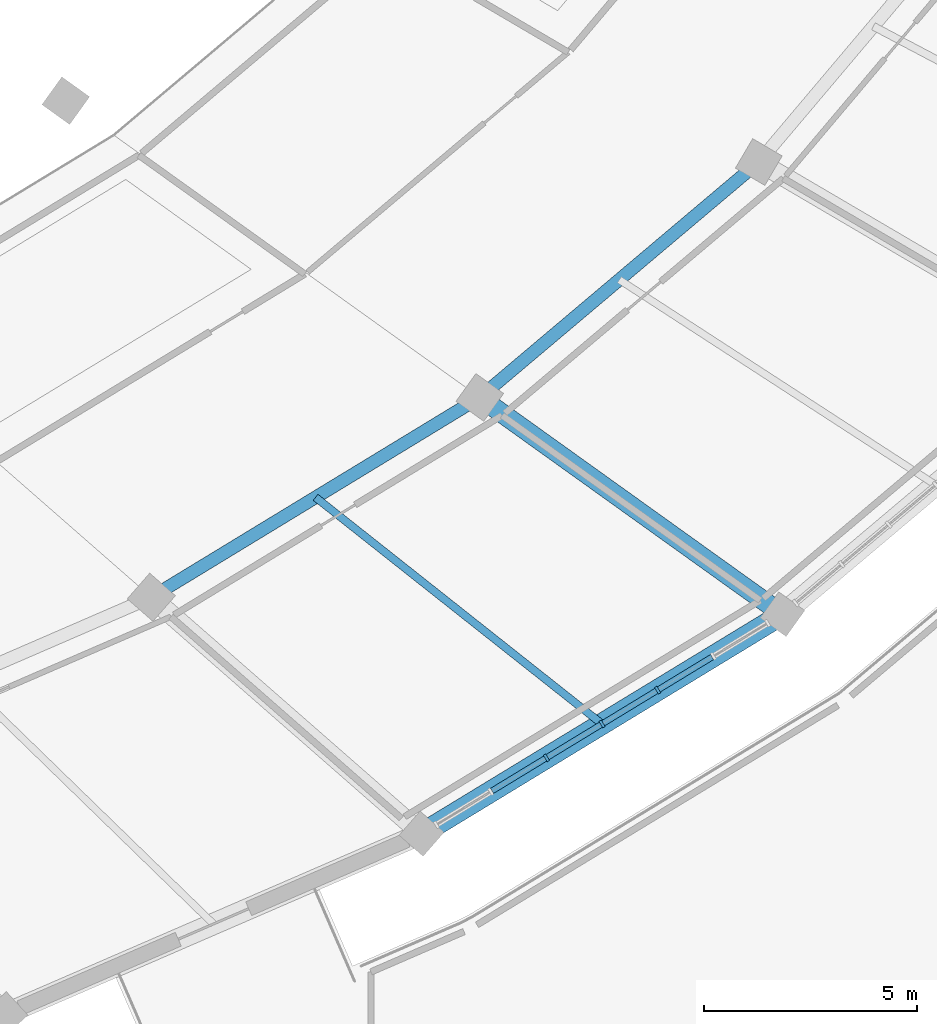
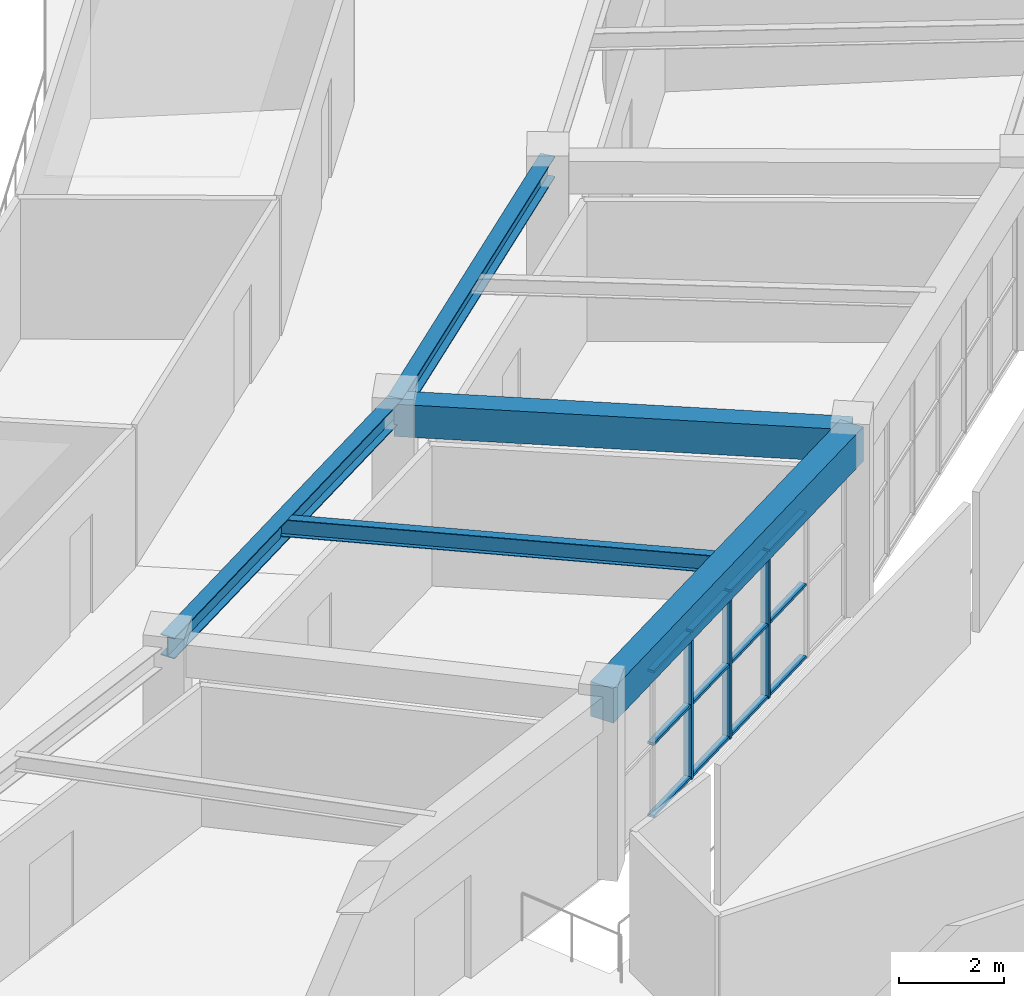
# One storey, part 36 of 141: 15 members, 5 beams, 1 element without a shape of its own.
"""IFC4 building model written with IfcOpenShell, lengths in metres."""

from ifc_helpers import new_model, si_unit, direction, frame, origin, origin_2d, place, context, subcontext, project, spatial, rectangle, i_section, extrude, material, layer, layer_set, material_profile, profile_set, type_object, element, aggregate, save


model = new_model("IFC4")

# Units and contexts
model_context = context("Model", 3, precision=1e-05, world=origin(), true_north=direction((0.0, 1.0)))
body_context = subcontext(model_context, "Body", "Model", "MODEL_VIEW")
ifc_project = project(units=[si_unit("LENGTHUNIT", "METRE"), si_unit("AREAUNIT", "SQUARE_METRE"), si_unit("VOLUMEUNIT", "CUBIC_METRE"), si_unit("PLANEANGLEUNIT", "RADIAN"), si_unit("MASSUNIT", "GRAM", prefix="KILO")], contexts=[model_context])

# Site, building, storey
site_placement = place(None, origin())
site = spatial("IfcSite", under=ifc_project, at=site_placement, CompositionType="ELEMENT")
building_placement = place(site_placement, origin())
building = spatial("IfcBuilding", under=site, at=building_placement, Name="Mphavela Belvedere Stadium", CompositionType="ELEMENT")
storey_placement = place(building_placement, frame((0.0, 0.0, 14.699951171875)))
storey = spatial("IfcBuildingStorey", under=building, at=storey_placement, Name="L03", CompositionType="ELEMENT", Elevation=14.699951171875)

# Beams
ifc_material_1 = material(Name="Steel S355", Category="steel")
ifc_material_profile_1 = material_profile(ifc_material_1, i_section(OverallWidth=0.179931640625, OverallDepth=0.39990234375, WebThickness=0.008544921875, FlangeThickness=0.013427734375, at=origin_2d()), Name="IPE 400")
ifc_profile_set_1 = profile_set([ifc_material_profile_1], Name="Steel S355")
beam_type_1 = type_object("IfcBeamType", Name="BM-JOIST-IPE400", PredefinedType="JOIST", material=ifc_profile_set_1)
beam_1_placement = place(storey_placement, frame((183.210693359375, 33.02587890625, 4.050048828125), z_axis=(0.784195537739, -0.620513785979, 0.0), x_axis=(0.620513785979, 0.784195537739, 0.0)))
element("IfcBeam", 1, at=beam_1_placement, inside=storey, type_object=beam_type_1, Name="Concourse floor joist L03-42", PredefinedType="JOIST", context=body_context, shape_type="SweptSolid", body=[
    extrude(i_section(OverallWidth=0.179931640625, OverallDepth=0.39990234375, WebThickness=0.008544921875, FlangeThickness=0.013427734375, at=origin_2d()), origin(), (0.0, 0.0, 1.0), 8.56298828125),
])
ifc_material_2 = material(Name="Concrete C40/50", Category="concrete")
ifc_material_profile_2 = material_profile(ifc_material_2, rectangle(XDim=0.449951171875, YDim=0.75, at=origin_2d()), Name="RC 450x750")
ifc_profile_set_2 = profile_set([ifc_material_profile_2], Name="Concrete C40/50")
beam_type_2 = type_object("IfcBeamType", Name="BM-RC450x750", PredefinedType="BEAM", material=ifc_profile_set_2)
beam_2_placement = place(storey_placement, frame((187.061279296875, 35.368408203125, 3.875), z_axis=(0.812882024932, -0.582428376319, 0.0), x_axis=(0.582428376319, 0.812882024932, 0.0)))
element("IfcBeam", 2, at=beam_2_placement, inside=storey, type_object=beam_type_2, Name="Radial concourse girder L03 R3R4-43", PredefinedType="BEAM", context=body_context, shape_type="SweptSolid", body=[
    extrude(rectangle(XDim=0.449951171875, YDim=0.75, at=origin_2d()), origin(), (0.0, 0.0, 1.0), 8.727294921875),
])
ifc_material_3 = material(Name="Concrete C40/50", Category="concrete")
ifc_material_profile_3 = material_profile(ifc_material_3, rectangle(XDim=0.5, YDim=0.800048828125, at=origin_2d()), Name="RC 500x800")
ifc_profile_set_3 = profile_set([ifc_material_profile_3], Name="Concrete C40/50")
beam_type_3 = type_object("IfcBeamType", Name="BM-SPANDREL-800", PredefinedType="SPANDREL", material=ifc_profile_set_3)
beam_3_placement = place(storey_placement, frame((185.6962890625, 25.13916015625, 3.85009765625), z_axis=(0.854326607994, 0.51973651678, 0.0), x_axis=(-0.51973651678, 0.854326607994, 0.0)))
element("IfcBeam", 3, at=beam_3_placement, inside=storey, type_object=beam_type_3, Name="Circumferential girder L03 R4-42", PredefinedType="SPANDREL", context=body_context, shape_type="SweptSolid", body=[
    extrude(rectangle(XDim=0.5, YDim=0.800048828125, at=origin_2d()), origin(), (0.0, 0.0, 1.0), 9.901611328125),
])
ifc_material_4 = material(Name="Steel S355", Category="steel")
ifc_material_profile_4 = material_profile(ifc_material_4, i_section(OverallWidth=0.300048828125, OverallDepth=0.489990234375, WebThickness=0.011962890625, FlangeThickness=0.02294921875, at=origin_2d()), Name="HEA 500")
ifc_profile_set_4 = profile_set([ifc_material_profile_4], Name="Steel S355")
beam_type_4 = type_object("IfcBeamType", Name="BM-STEEL-HEA500", PredefinedType="BEAM", material=ifc_profile_set_4)
beam_4_placement = place(storey_placement, frame((179.360107421875, 30.68310546875, 4.005126953125), z_axis=(0.854315160357, 0.519755333579, 0.0), x_axis=(-0.519755333579, 0.854315160357, 0.0)))
element("IfcBeam", 4, at=beam_4_placement, inside=storey, type_object=beam_type_4, Name="Circumferential girder L03 R3-42", PredefinedType="BEAM", context=body_context, shape_type="SweptSolid", body=[
    extrude(i_section(OverallWidth=0.300048828125, OverallDepth=0.489990234375, WebThickness=0.011962890625, FlangeThickness=0.02294921875, at=origin_2d()), origin(), (0.0, 0.0, 1.0), 9.014404296875),
])
beam_5_placement = place(storey_placement, frame((187.061279296875, 35.368408203125, 4.005126953125), z_axis=(0.764263355392, 0.644904274761, 0.0), x_axis=(-0.644904274761, 0.764263355392, 0.0)))
element("IfcBeam", 5, at=beam_5_placement, inside=storey, type_object=beam_type_4, Name="Circumferential girder L03 R3-43", PredefinedType="BEAM", context=body_context, shape_type="SweptSolid", body=[
    extrude(i_section(OverallWidth=0.300048828125, OverallDepth=0.489990234375, WebThickness=0.011962890625, FlangeThickness=0.02294921875, at=origin_2d()), origin(), (0.0, 0.0, 1.0), 8.55615234375),
])

# Curtain wall, members
ifc_material_5 = material(Name="Anodised bronze unitised curtain wall framing")
ifc_layer = layer(ifc_material_5, 0.199951171875)
ifc_layer_set = layer_set([ifc_layer], Name="Anodised bronze unitised curtain wall framing")
curtain_wall_type = type_object("IfcCurtainWallType", Name="CW-UNIT-05", PredefinedType="USERDEFINED", material=ifc_layer_set)
curtain_wall_placement = place(storey_placement, origin())
curtain_wall = element("IfcCurtainWall", 6, at=curtain_wall_placement, inside=storey, type_object=curtain_wall_type, Name="Belvedere colonnade curtain wall L03-42", ObjectType="UNITISED CURTAIN WALL", PredefinedType="USERDEFINED")
ifc_material_6 = material(Name="Anodised bronze extruded aluminium", Category="aluminium")
ifc_material_profile_5 = material_profile(ifc_material_6, rectangle(XDim=0.179931640625, YDim=0.06494140625, at=origin_2d()), Name="CW-MUL 180x65")
ifc_profile_set_5 = profile_set([ifc_material_profile_5], Name="Anodised bronze extruded aluminium")
member_type_1 = type_object("IfcMemberType", Name="CWM-180x65", PredefinedType="MULLION", material=ifc_profile_set_5)
member_1_placement = place(storey_placement, frame((188.622314453125, 26.919189453125, 0.0), z_axis=(0.0, 0.0, 1.0), x_axis=(-0.519738342169, 0.8543254975, 0.0)))
member_1 = element("IfcMember", 7, at=member_1_placement, type_object=member_type_1, Name="CW-05 mullion 3", PredefinedType="MULLION", context=body_context, shape_type="SweptSolid", body=[
    extrude(rectangle(XDim=0.179931640625, YDim=0.06494140625, at=origin_2d()), origin(), (0.0, 0.0, 1.0), 3.420166015625),
])
member_2_placement = place(storey_placement, frame((189.92578125, 27.71240234375, 0.0), z_axis=(0.0, 0.0, 1.0), x_axis=(-0.519738342169, 0.8543254975, 0.0)))
member_2 = element("IfcMember", 8, at=member_2_placement, type_object=member_type_1, Name="CW-05 mullion 4", PredefinedType="MULLION", context=body_context, shape_type="SweptSolid", body=[
    extrude(rectangle(XDim=0.179931640625, YDim=0.06494140625, at=origin_2d()), origin(), (0.0, 0.0, 1.0), 3.420166015625),
])
member_3_placement = place(storey_placement, frame((191.2294921875, 28.50537109375, 0.0), z_axis=(0.0, 0.0, 1.0), x_axis=(-0.519738342169, 0.8543254975, 0.0)))
member_3 = element("IfcMember", 9, at=member_3_placement, type_object=member_type_1, Name="CW-05 mullion 5", PredefinedType="MULLION", context=body_context, shape_type="SweptSolid", body=[
    extrude(rectangle(XDim=0.179931640625, YDim=0.06494140625, at=origin_2d()), origin(), (0.0, 0.0, 1.0), 3.420166015625),
])
ifc_material_7 = material(Name="Anodised bronze extruded aluminium", Category="aluminium")
ifc_material_profile_6 = material_profile(ifc_material_7, rectangle(XDim=0.139892578125, YDim=0.06005859375, at=origin_2d()), Name="CW-TRN 140x60")
ifc_profile_set_6 = profile_set([ifc_material_profile_6], Name="Anodised bronze extruded aluminium")
member_type_2 = type_object("IfcMemberType", Name="CWT-140x60", PredefinedType="USERDEFINED", material=ifc_profile_set_6)
member_4_placement = place(storey_placement, frame((187.346435546875, 26.14306640625, 0.030029296875), z_axis=(0.854321163894, 0.519745465515, 0.0), x_axis=(-0.519745465515, 0.854321163894, 0.0)))
member_4 = element("IfcMember", 10, at=member_4_placement, type_object=member_type_2, Name="CW-05 transom 2.1", ObjectType="TRANSOM", PredefinedType="USERDEFINED", context=body_context, shape_type="SweptSolid", body=[
    extrude(rectangle(XDim=0.139892578125, YDim=0.06005859375, at=origin_2d()), origin(), (0.0, 0.0, 1.0), 1.4609375),
])
member_5_placement = place(storey_placement, frame((187.346435546875, 26.14306640625, 1.7099609375), z_axis=(0.854321163894, 0.519745465515, 0.0), x_axis=(-0.519745465515, 0.854321163894, 0.0)))
member_5 = element("IfcMember", 11, at=member_5_placement, type_object=member_type_2, Name="CW-05 transom 2.2", ObjectType="TRANSOM", PredefinedType="USERDEFINED", context=body_context, shape_type="SweptSolid", body=[
    extrude(rectangle(XDim=0.139892578125, YDim=0.06005859375, at=origin_2d()), origin(), (0.0, 0.0, 1.0), 1.4609375),
])
member_6_placement = place(storey_placement, frame((187.346435546875, 26.14306640625, 3.39013671875), z_axis=(0.854321163894, 0.519745465515, 0.0), x_axis=(-0.519745465515, 0.854321163894, 0.0)))
member_6 = element("IfcMember", 12, at=member_6_placement, type_object=member_type_2, Name="CW-05 transom 2.3", ObjectType="TRANSOM", PredefinedType="USERDEFINED", context=body_context, shape_type="SweptSolid", body=[
    extrude(rectangle(XDim=0.139892578125, YDim=0.06005859375, at=origin_2d()), origin(), (0.0, 0.0, 1.0), 1.4609375),
])
member_7_placement = place(storey_placement, frame((188.64990234375, 26.93603515625, 0.030029296875), z_axis=(0.854366299444, 0.519671267606, 0.0), x_axis=(-0.519671267606, 0.854366299444, 0.0)))
member_7 = element("IfcMember", 13, at=member_7_placement, type_object=member_type_2, Name="CW-05 transom 3.1", ObjectType="TRANSOM", PredefinedType="USERDEFINED", context=body_context, shape_type="SweptSolid", body=[
    extrude(rectangle(XDim=0.139892578125, YDim=0.06005859375, at=origin_2d()), origin(), (0.0, 0.0, 1.0), 1.461181640625),
])
member_8_placement = place(storey_placement, frame((188.64990234375, 26.93603515625, 1.7099609375), z_axis=(0.854366299444, 0.519671267606, 0.0), x_axis=(-0.519671267606, 0.854366299444, 0.0)))
member_8 = element("IfcMember", 14, at=member_8_placement, type_object=member_type_2, Name="CW-05 transom 3.2", ObjectType="TRANSOM", PredefinedType="USERDEFINED", context=body_context, shape_type="SweptSolid", body=[
    extrude(rectangle(XDim=0.139892578125, YDim=0.06005859375, at=origin_2d()), origin(), (0.0, 0.0, 1.0), 1.461181640625),
])
member_9_placement = place(storey_placement, frame((188.64990234375, 26.93603515625, 3.39013671875), z_axis=(0.854366299444, 0.519671267606, 0.0), x_axis=(-0.519671267606, 0.854366299444, 0.0)))
member_9 = element("IfcMember", 15, at=member_9_placement, type_object=member_type_2, Name="CW-05 transom 3.3", ObjectType="TRANSOM", PredefinedType="USERDEFINED", context=body_context, shape_type="SweptSolid", body=[
    extrude(rectangle(XDim=0.139892578125, YDim=0.06005859375, at=origin_2d()), origin(), (0.0, 0.0, 1.0), 1.461181640625),
])
member_10_placement = place(storey_placement, frame((189.95361328125, 27.729248046875, 0.030029296875), z_axis=(0.854366299444, 0.519671267606, 0.0), x_axis=(-0.519671267606, 0.854366299444, 0.0)))
member_10 = element("IfcMember", 16, at=member_10_placement, type_object=member_type_2, Name="CW-05 transom 4.1", ObjectType="TRANSOM", PredefinedType="USERDEFINED", context=body_context, shape_type="SweptSolid", body=[
    extrude(rectangle(XDim=0.139892578125, YDim=0.06005859375, at=origin_2d()), origin(), (0.0, 0.0, 1.0), 1.461181640625),
])
member_11_placement = place(storey_placement, frame((189.95361328125, 27.729248046875, 1.7099609375), z_axis=(0.854366299444, 0.519671267606, 0.0), x_axis=(-0.519671267606, 0.854366299444, 0.0)))
member_11 = element("IfcMember", 17, at=member_11_placement, type_object=member_type_2, Name="CW-05 transom 4.2", ObjectType="TRANSOM", PredefinedType="USERDEFINED", context=body_context, shape_type="SweptSolid", body=[
    extrude(rectangle(XDim=0.139892578125, YDim=0.06005859375, at=origin_2d()), origin(), (0.0, 0.0, 1.0), 1.461181640625),
])
member_12_placement = place(storey_placement, frame((189.95361328125, 27.729248046875, 3.39013671875), z_axis=(0.854366299444, 0.519671267606, 0.0), x_axis=(-0.519671267606, 0.854366299444, 0.0)))
member_12 = element("IfcMember", 18, at=member_12_placement, type_object=member_type_2, Name="CW-05 transom 4.3", ObjectType="TRANSOM", PredefinedType="USERDEFINED", context=body_context, shape_type="SweptSolid", body=[
    extrude(rectangle(XDim=0.139892578125, YDim=0.06005859375, at=origin_2d()), origin(), (0.0, 0.0, 1.0), 1.461181640625),
])
member_13_placement = place(storey_placement, frame((191.25732421875, 28.522216796875, 0.030029296875), z_axis=(0.854321163894, 0.519745465515, 0.0), x_axis=(-0.519745465515, 0.854321163894, 0.0)))
member_13 = element("IfcMember", 19, at=member_13_placement, type_object=member_type_2, Name="CW-05 transom 5.1", ObjectType="TRANSOM", PredefinedType="USERDEFINED", context=body_context, shape_type="SweptSolid", body=[
    extrude(rectangle(XDim=0.139892578125, YDim=0.06005859375, at=origin_2d()), origin(), (0.0, 0.0, 1.0), 1.4609375),
])
member_14_placement = place(storey_placement, frame((191.25732421875, 28.522216796875, 1.7099609375), z_axis=(0.854321163894, 0.519745465515, 0.0), x_axis=(-0.519745465515, 0.854321163894, 0.0)))
member_14 = element("IfcMember", 20, at=member_14_placement, type_object=member_type_2, Name="CW-05 transom 5.2", ObjectType="TRANSOM", PredefinedType="USERDEFINED", context=body_context, shape_type="SweptSolid", body=[
    extrude(rectangle(XDim=0.139892578125, YDim=0.06005859375, at=origin_2d()), origin(), (0.0, 0.0, 1.0), 1.4609375),
])
member_15_placement = place(storey_placement, frame((191.25732421875, 28.522216796875, 3.39013671875), z_axis=(0.854321163894, 0.519745465515, 0.0), x_axis=(-0.519745465515, 0.854321163894, 0.0)))
member_15 = element("IfcMember", 21, at=member_15_placement, type_object=member_type_2, Name="CW-05 transom 5.3", ObjectType="TRANSOM", PredefinedType="USERDEFINED", context=body_context, shape_type="SweptSolid", body=[
    extrude(rectangle(XDim=0.139892578125, YDim=0.06005859375, at=origin_2d()), origin(), (0.0, 0.0, 1.0), 1.4609375),
])
aggregate(curtain_wall, [member_1, member_2, member_3, member_4, member_5, member_6, member_7, member_8, member_9, member_10, member_11, member_12, member_13, member_14, member_15])

save(model, "model.ifc")
